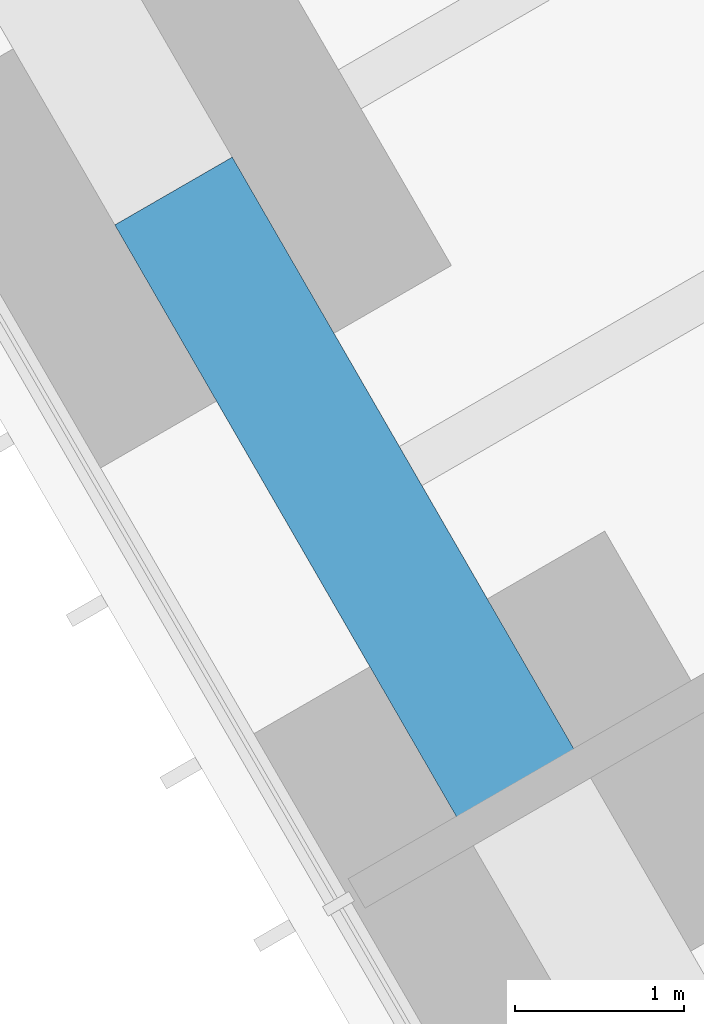
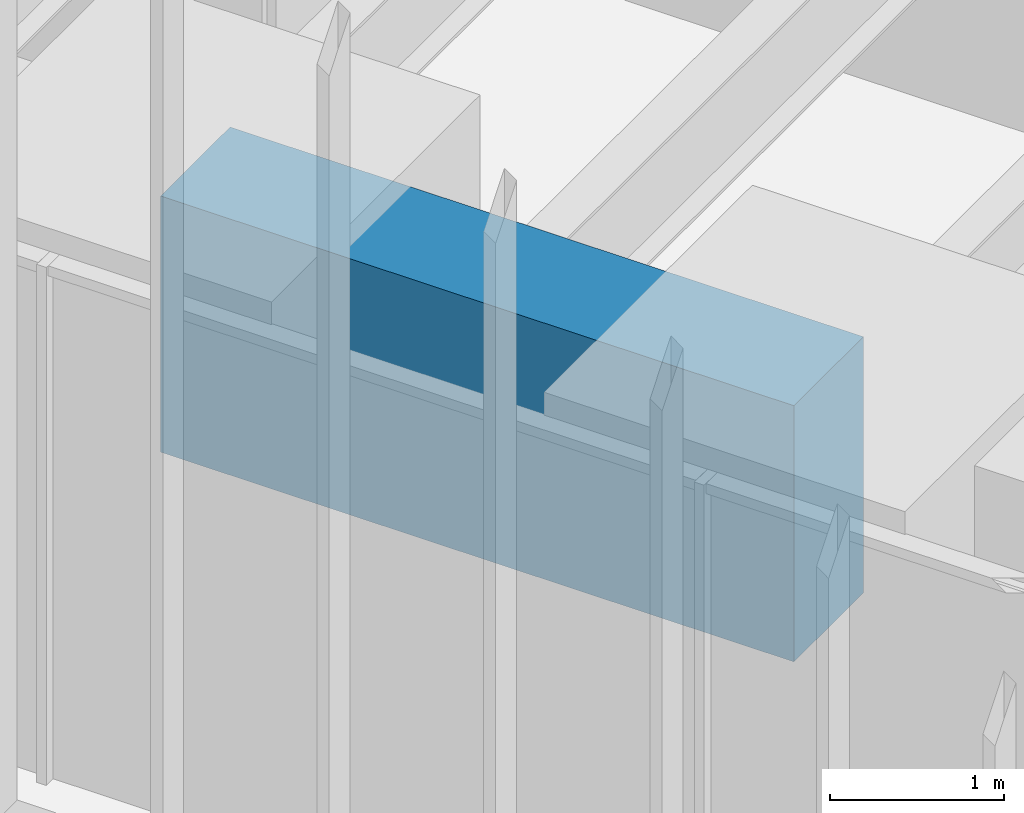
# One storey, part 53 of 256: 1 beam.
"""IFC4 building model written with IfcOpenShell, lengths in metres."""

from ifc_helpers import new_model, si_unit, direction, frame, origin, origin_2d, place, context, subcontext, project, spatial, rectangle, extrude, material, material_profile, profile_set, type_object, element, save


model = new_model("IFC4")

# Units and contexts
model_context = context("Model", 3, precision=1e-05, world=origin(), true_north=direction((0.0, 1.0)))
body_context = subcontext(model_context, "Body", "Model", "MODEL_VIEW")
ifc_project = project(units=[si_unit("LENGTHUNIT", "METRE"), si_unit("AREAUNIT", "SQUARE_METRE"), si_unit("VOLUMEUNIT", "CUBIC_METRE"), si_unit("PLANEANGLEUNIT", "RADIAN"), si_unit("MASSUNIT", "GRAM", prefix="KILO")], contexts=[model_context])

# Site, building, storey
site_placement = place(None, origin())
site = spatial("IfcSite", under=ifc_project, at=site_placement, CompositionType="ELEMENT")
building_placement = place(site_placement, origin())
building = spatial("IfcBuilding", under=site, at=building_placement, Name="Sandreach Pilgrim Tower", CompositionType="ELEMENT")
storey_placement = place(building_placement, frame((0.0, 0.0, 23.0)))
storey = spatial("IfcBuildingStorey", under=building, at=storey_placement, Name="L04", CompositionType="ELEMENT", Elevation=23.0)

# Beam
ifc_material = material(Name="Concrete 10000 psi", Category="concrete")
ifc_material_profile = material_profile(ifc_material, rectangle(XDim=0.800048828125, YDim=1.800048828125, at=origin_2d()), Name="RC800X1800")
ifc_profile_set = profile_set([ifc_material_profile], Name="Concrete 10000 psi")
beam_type = type_object("IfcBeamType", Name="Spandrel beam RC800X1800", PredefinedType="SPANDREL", material=ifc_profile_set)
beam_placement = place(storey_placement, frame((-20.701416015625, -9.521484375, 2.739990234375), z_axis=(-0.499993523031, 0.866029143232, 0.0), x_axis=(-0.866029143232, -0.499993523031, 0.0)))
element("IfcBeam", 1, at=beam_placement, inside=storey, type_object=beam_type, Name="BM L04 SP31", PredefinedType="SPANDREL", context=body_context, shape_type="SweptSolid", body=[
    extrude(rectangle(XDim=0.800048828125, YDim=1.800048828125, at=origin_2d()), origin(), (0.0, 0.0, 1.0), 4.2099609375),
])

save(model, "model.ifc")
